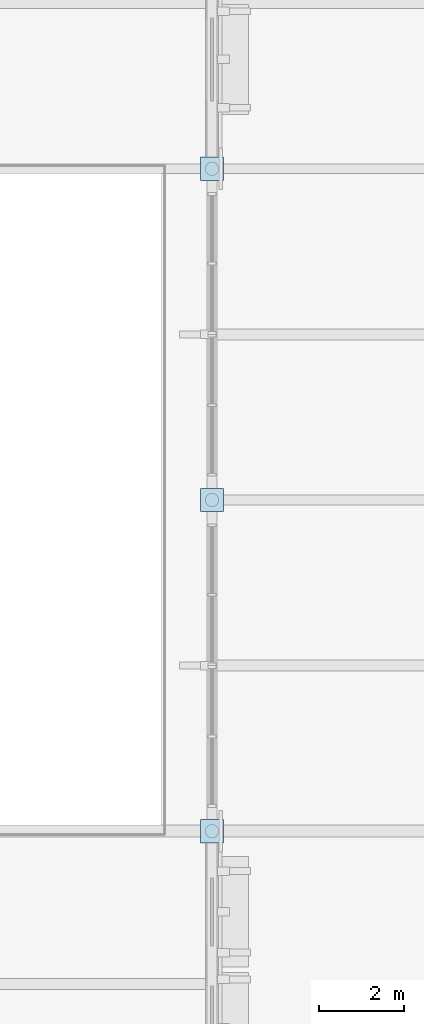
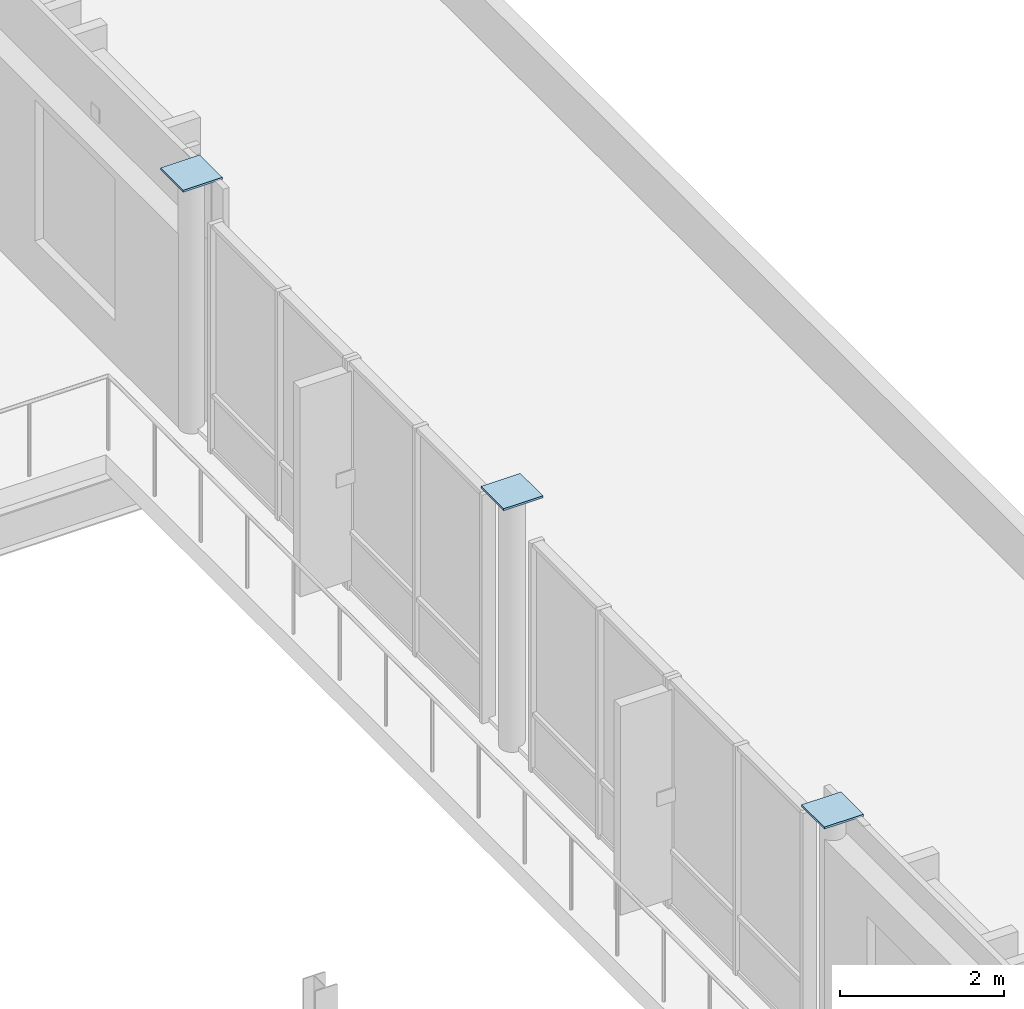
# One storey, part 43 of 73: 3 plates.
"""IFC4 building model written with IfcOpenShell, lengths in metres."""

from ifc_helpers import new_model, si_unit, direction, frame, origin, origin_2d, place, context, subcontext, project, spatial, rectangle, extrude, material, layer, layer_set, type_object, element, save


model = new_model("IFC4")

# Units and contexts
model_context = context("Model", 3, precision=1e-05, world=origin(), true_north=direction((0.0, 1.0)))
body_context = subcontext(model_context, "Body", "Model", "MODEL_VIEW")
ifc_project = project(units=[si_unit("LENGTHUNIT", "METRE"), si_unit("AREAUNIT", "SQUARE_METRE"), si_unit("VOLUMEUNIT", "CUBIC_METRE"), si_unit("PLANEANGLEUNIT", "RADIAN"), si_unit("MASSUNIT", "GRAM", prefix="KILO")], contexts=[model_context])

# Site, building, storey
site_placement = place(None, origin())
site = spatial("IfcSite", under=ifc_project, at=site_placement, CompositionType="ELEMENT")
building_placement = place(site_placement, origin())
building = spatial("IfcBuilding", under=site, at=building_placement, Name="Vervanel Yard Central Library", CompositionType="ELEMENT")
storey_placement = place(building_placement, frame((0.0, 0.0, 12.780029296875)))
storey = spatial("IfcBuildingStorey", under=building, at=storey_placement, Name="L03", CompositionType="ELEMENT", Elevation=12.780029296875)

# Plates
ifc_material = material(Name="Steel ASTM A572 Grade 50", Category="steel")
ifc_layer = layer(ifc_material, 0.030029296875, Category="steel")
ifc_layer_set = layer_set([ifc_layer], Name="Steel ASTM A572 Grade 50")
plate_type = type_object("IfcPlateType", Name="Bridge Pier Base Plate 30", PredefinedType="SHEET", material=ifc_layer_set)
for number, where, z_axis, x_axis, name in (
    (1, (28.800048828125, 43.199951171875, 3.73974609375), (0.0, 0.0, 1.0), (1.0, 0.0, 0.0), "L03 HSS Column Top Cap Plate 23"),
    (2, (28.800048828125, 51.0, 3.73974609375), (0.0, 0.0, 1.0), (1.0, 0.0, 0.0), "L03 HSS Column Top Cap Plate 24"),
    (3, (28.800048828125, 58.800048828125, 3.73974609375), (0.0, 0.0, 1.0), (1.0, 0.0, 0.0), "L03 HSS Column Top Cap Plate 25"),
):
    element("IfcPlate", number, at=place(storey_placement, frame(where, z_axis=z_axis, x_axis=x_axis)), inside=storey, type_object=plate_type, Name=name, PredefinedType="SHEET", context=body_context, shape_type="SweptSolid", body=[
        extrude(rectangle(XDim=0.550048828125, YDim=0.550048828125, at=origin_2d()), origin(), (0.0, 0.0, 1.0), 0.030029296875),
    ])

save(model, "model.ifc")
